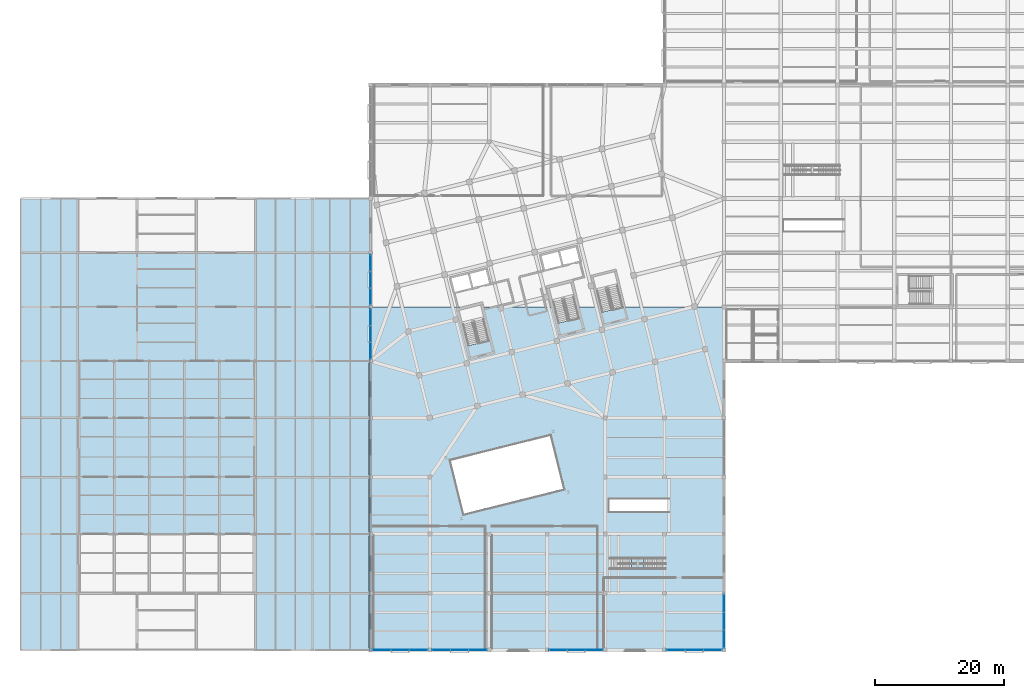
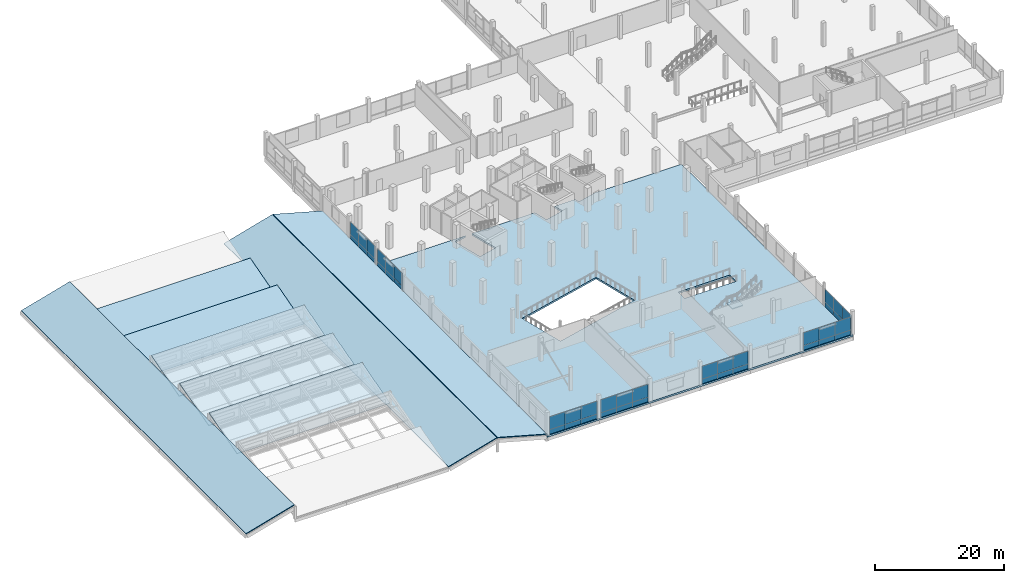
# One storey, part 61 of 77: 42 plates, 11 slabs, 16 elements without a shape of their own.
"""IFC4 building model written with IfcOpenShell, lengths in metres."""

from ifc_helpers import new_model, si_unit, direction, frame, origin, origin_2d, place, context, subcontext, project, spatial, polyline, rectangle, outline, extrude, material, layer, layer_set, type_object, element, aggregate, save


model = new_model("IFC4")

# Units and contexts
model_context = context("Model", 3, precision=1e-05, world=origin(), true_north=direction((0.0, 1.0)))
body_context = subcontext(model_context, "Body", "Model", "MODEL_VIEW")
ifc_project = project(units=[si_unit("LENGTHUNIT", "METRE"), si_unit("AREAUNIT", "SQUARE_METRE"), si_unit("VOLUMEUNIT", "CUBIC_METRE"), si_unit("PLANEANGLEUNIT", "RADIAN"), si_unit("MASSUNIT", "GRAM", prefix="KILO")], contexts=[model_context])

# Site, building, storey
site_placement = place(None, origin())
site = spatial("IfcSite", under=ifc_project, at=site_placement, CompositionType="ELEMENT")
building_placement = place(site_placement, origin())
building = spatial("IfcBuilding", under=site, at=building_placement, Name="Meriwether Solvik Hall", CompositionType="ELEMENT")
storey_placement = place(building_placement, frame((0.0, 0.0, 9.89990234375)))
storey = spatial("IfcBuildingStorey", under=building, at=storey_placement, Name="L02", CompositionType="ELEMENT", Elevation=9.89990234375)

# Curtain wall, plates
ifc_material_1 = material(Name="Thermally Broken Anodised Aluminium 6063-T6 and Low-E Glass", Category="aluminium")
ifc_layer_1 = layer(ifc_material_1, 0.179931640625)
ifc_layer_set_1 = layer_set([ifc_layer_1], Name="Thermally Broken Anodised Aluminium 6063-T6 and Low-E Glass")
curtain_wall_type = type_object("IfcCurtainWallType", Name="CW-SF-POD-C", PredefinedType="USERDEFINED", material=ifc_layer_set_1)
curtain_wall_1_placement = place(storey_placement, origin())
curtain_wall_1 = element("IfcCurtainWall", 1, at=curtain_wall_1_placement, inside=storey, type_object=curtain_wall_type, Name="Curtain Wall wing_XA_7_0 (L02)", ObjectType="STICK STOREFRONT GLAZING", PredefinedType="USERDEFINED")
ifc_material_2 = material(Name="Acoustic Laminated Insulating Glass", Category="glass")
ifc_layer_2 = layer(ifc_material_2, 0.035888671875)
ifc_layer_set_2 = layer_set([ifc_layer_2], Name="Acoustic Laminated Insulating Glass")
plate_type_1 = type_object("IfcPlateType", Name="PLT-GLZ-255X215", PredefinedType="CURTAIN_PANEL", material=ifc_layer_set_2)
plate_1_placement = place(storey_placement, frame((66.839599609375, 5.199951171875, 0.880126953125), z_axis=(0.0, 0.0, 1.0), x_axis=(-1.0, 0.0, 0.0)))
plate_1 = element("IfcPlate", 2, at=plate_1_placement, type_object=plate_type_1, Name="Low-E Vision Glazing Panel 1", PredefinedType="CURTAIN_PANEL", context=body_context, shape_type="SweptSolid", body=[
    extrude(rectangle(XDim=2.812744140625, YDim=0.033935546875, at=origin_2d()), origin(), (0.0, 0.0, 1.0), 2.455078125),
])
plate_2_placement = place(storey_placement, frame((64.0, 5.199951171875, 0.880126953125), z_axis=(0.0, 0.0, 1.0), x_axis=(-1.0, 0.0, 0.0)))
plate_2 = element("IfcPlate", 3, at=plate_2_placement, type_object=plate_type_1, Name="Low-E Vision Glazing Panel 2", PredefinedType="CURTAIN_PANEL", context=body_context, shape_type="SweptSolid", body=[
    extrude(rectangle(XDim=2.8505859375, YDim=0.033935546875, at=origin_2d()), origin(), (0.0, 0.0, 1.0), 2.455078125),
])
plate_3_placement = place(storey_placement, frame((61.160400390625, 5.199951171875, 0.880126953125), z_axis=(0.0, 0.0, 1.0), x_axis=(-1.0, 0.0, 0.0)))
plate_3 = element("IfcPlate", 4, at=plate_3_placement, type_object=plate_type_1, Name="Low-E Vision Glazing Panel 3", PredefinedType="CURTAIN_PANEL", context=body_context, shape_type="SweptSolid", body=[
    extrude(rectangle(XDim=2.812744140625, YDim=0.033935546875, at=origin_2d()), origin(), (0.0, 0.0, 1.0), 2.455078125),
])

curtain_wall_2_placement = place(storey_placement, origin())
curtain_wall_2 = element("IfcCurtainWall", 5, at=curtain_wall_2_placement, inside=storey, type_object=curtain_wall_type, Name="Curtain Wall wing_XA_8_1 (L02)", ObjectType="STICK STOREFRONT GLAZING", PredefinedType="USERDEFINED")
plate_4_placement = place(storey_placement, frame((76.03955078125, 5.199951171875, 0.880126953125), z_axis=(0.0, 0.0, 1.0), x_axis=(-1.0, 0.0, 0.0)))
plate_4 = element("IfcPlate", 6, at=plate_4_placement, type_object=plate_type_1, Name="Low-E Vision Glazing Panel 1", PredefinedType="CURTAIN_PANEL", context=body_context, shape_type="SweptSolid", body=[
    extrude(rectangle(XDim=2.812744140625, YDim=0.033935546875, at=origin_2d()), origin(), (0.0, 0.0, 1.0), 2.455078125),
])
plate_5_placement = place(storey_placement, frame((73.199951171875, 5.199951171875, 0.880126953125), z_axis=(0.0, 0.0, 1.0), x_axis=(-1.0, 0.0, 0.0)))
plate_5 = element("IfcPlate", 7, at=plate_5_placement, type_object=plate_type_1, Name="Low-E Vision Glazing Panel 2", PredefinedType="CURTAIN_PANEL", context=body_context, shape_type="SweptSolid", body=[
    extrude(rectangle(XDim=2.8505859375, YDim=0.033935546875, at=origin_2d()), origin(), (0.0, 0.0, 1.0), 2.455078125),
])
plate_6_placement = place(storey_placement, frame((70.3603515625, 5.199951171875, 0.880126953125), z_axis=(0.0, 0.0, 1.0), x_axis=(-1.0, 0.0, 0.0)))
plate_6 = element("IfcPlate", 8, at=plate_6_placement, type_object=plate_type_1, Name="Low-E Vision Glazing Panel 3", PredefinedType="CURTAIN_PANEL", context=body_context, shape_type="SweptSolid", body=[
    extrude(rectangle(XDim=2.812744140625, YDim=0.033935546875, at=origin_2d()), origin(), (0.0, 0.0, 1.0), 2.455078125),
])

curtain_wall_3_placement = place(storey_placement, origin())
curtain_wall_3 = element("IfcCurtainWall", 9, at=curtain_wall_3_placement, inside=storey, type_object=curtain_wall_type, Name="Curtain Wall wing_XA_10_3 (L02)", ObjectType="STICK STOREFRONT GLAZING", PredefinedType="USERDEFINED")
plate_7_placement = place(storey_placement, frame((94.072998046875, 5.199951171875, 0.880126953125), z_axis=(0.0, 0.0, 1.0), x_axis=(-1.0, 0.0, 0.0)))
plate_7 = element("IfcPlate", 10, at=plate_7_placement, type_object=plate_type_1, Name="Low-E Vision Glazing Panel 1", PredefinedType="CURTAIN_PANEL", context=body_context, shape_type="SweptSolid", body=[
    extrude(rectangle(XDim=2.74609375, YDim=0.033935546875, at=origin_2d()), origin(), (0.0, 0.0, 1.0), 2.455078125),
])
plate_8_placement = place(storey_placement, frame((91.300048828125, 5.199951171875, 0.880126953125), z_axis=(0.0, 0.0, 1.0), x_axis=(-1.0, 0.0, 0.0)))
plate_8 = element("IfcPlate", 11, at=plate_8_placement, type_object=plate_type_1, Name="Low-E Vision Glazing Panel 2", PredefinedType="CURTAIN_PANEL", context=body_context, shape_type="SweptSolid", body=[
    extrude(rectangle(XDim=2.783935546875, YDim=0.033935546875, at=origin_2d()), origin(), (0.0, 0.0, 1.0), 2.455078125),
])
plate_9_placement = place(storey_placement, frame((88.527099609375, 5.199951171875, 0.880126953125), z_axis=(0.0, 0.0, 1.0), x_axis=(-1.0, 0.0, 0.0)))
plate_9 = element("IfcPlate", 12, at=plate_9_placement, type_object=plate_type_1, Name="Low-E Vision Glazing Panel 3", PredefinedType="CURTAIN_PANEL", context=body_context, shape_type="SweptSolid", body=[
    extrude(rectangle(XDim=2.74609375, YDim=0.033935546875, at=origin_2d()), origin(), (0.0, 0.0, 1.0), 2.455078125),
])

curtain_wall_4_placement = place(storey_placement, origin())
curtain_wall_4 = element("IfcCurtainWall", 13, at=curtain_wall_4_placement, inside=storey, type_object=curtain_wall_type, Name="Curtain Wall wing_XA_12_5 (L02)", ObjectType="STICK STOREFRONT GLAZING", PredefinedType="USERDEFINED")
plate_10_placement = place(storey_placement, frame((112.439697265625, 5.199951171875, 0.880126953125), z_axis=(0.0, 0.0, 1.0), x_axis=(-1.0, 0.0, 0.0)))
plate_10 = element("IfcPlate", 14, at=plate_10_placement, type_object=plate_type_1, Name="Low-E Vision Glazing Panel 1", PredefinedType="CURTAIN_PANEL", context=body_context, shape_type="SweptSolid", body=[
    extrude(rectangle(XDim=2.812744140625, YDim=0.033935546875, at=origin_2d()), origin(), (0.0, 0.0, 1.0), 2.455078125),
])
plate_11_placement = place(storey_placement, frame((109.60009765625, 5.199951171875, 0.880126953125), z_axis=(0.0, 0.0, 1.0), x_axis=(-1.0, 0.0, 0.0)))
plate_11 = element("IfcPlate", 15, at=plate_11_placement, type_object=plate_type_1, Name="Low-E Vision Glazing Panel 2", PredefinedType="CURTAIN_PANEL", context=body_context, shape_type="SweptSolid", body=[
    extrude(rectangle(XDim=2.8505859375, YDim=0.033935546875, at=origin_2d()), origin(), (0.0, 0.0, 1.0), 2.455078125),
])
plate_12_placement = place(storey_placement, frame((106.76025390625, 5.199951171875, 0.880126953125), z_axis=(0.0, 0.0, 1.0), x_axis=(-1.0, 0.0, 0.0)))
plate_12 = element("IfcPlate", 16, at=plate_12_placement, type_object=plate_type_1, Name="Low-E Vision Glazing Panel 3", PredefinedType="CURTAIN_PANEL", context=body_context, shape_type="SweptSolid", body=[
    extrude(rectangle(XDim=2.812744140625, YDim=0.033935546875, at=origin_2d()), origin(), (0.0, 0.0, 1.0), 2.455078125),
])

curtain_wall_5_placement = place(storey_placement, origin())
curtain_wall_5 = element("IfcCurtainWall", 17, at=curtain_wall_5_placement, inside=storey, type_object=curtain_wall_type, Name="Curtain Wall wing_Y7_6_29 (L02)", ObjectType="STICK STOREFRONT GLAZING", PredefinedType="USERDEFINED")
plate_13_placement = place(storey_placement, frame((59.39990234375, 51.626953125, 0.880126953125), z_axis=(0.0, 0.0, 1.0), x_axis=(0.0, 1.0, 0.0)))
plate_13 = element("IfcPlate", 18, at=plate_13_placement, type_object=plate_type_1, Name="Low-E Vision Glazing Panel 1", PredefinedType="CURTAIN_PANEL", context=body_context, shape_type="SweptSolid", body=[
    extrude(rectangle(XDim=2.5458984375, YDim=0.033935546875, at=origin_2d()), origin(), (0.0, 0.0, 1.0), 2.455078125),
])
plate_14_placement = place(storey_placement, frame((59.39990234375, 54.199951171875, 0.880126953125), z_axis=(0.0, 0.0, 1.0), x_axis=(0.0, 1.0, 0.0)))
plate_14 = element("IfcPlate", 19, at=plate_14_placement, type_object=plate_type_1, Name="Low-E Vision Glazing Panel 2", PredefinedType="CURTAIN_PANEL", context=body_context, shape_type="SweptSolid", body=[
    extrude(rectangle(XDim=2.583984375, YDim=0.033935546875, at=origin_2d()), origin(), (0.0, 0.0, 1.0), 2.455078125),
])
plate_15_placement = place(storey_placement, frame((59.39990234375, 56.77294921875, 0.880126953125), z_axis=(0.0, 0.0, 1.0), x_axis=(0.0, 1.0, 0.0)))
plate_15 = element("IfcPlate", 20, at=plate_15_placement, type_object=plate_type_1, Name="Low-E Vision Glazing Panel 3", PredefinedType="CURTAIN_PANEL", context=body_context, shape_type="SweptSolid", body=[
    extrude(rectangle(XDim=2.5458984375, YDim=0.033935546875, at=origin_2d()), origin(), (0.0, 0.0, 1.0), 2.455078125),
])

curtain_wall_6_placement = place(storey_placement, origin())
curtain_wall_6 = element("IfcCurtainWall", 21, at=curtain_wall_6_placement, inside=storey, type_object=curtain_wall_type, Name="Curtain Wall wing_Y7_7_30 (L02)", ObjectType="STICK STOREFRONT GLAZING", PredefinedType="USERDEFINED")
plate_16_placement = place(storey_placement, frame((59.39990234375, 60.027099609375, 0.880126953125), z_axis=(0.0, 0.0, 1.0), x_axis=(0.0, 1.0, 0.0)))
plate_16 = element("IfcPlate", 22, at=plate_16_placement, type_object=plate_type_1, Name="Low-E Vision Glazing Panel 1", PredefinedType="CURTAIN_PANEL", context=body_context, shape_type="SweptSolid", body=[
    extrude(rectangle(XDim=2.5458984375, YDim=0.033935546875, at=origin_2d()), origin(), (0.0, 0.0, 1.0), 2.455078125),
])
plate_17_placement = place(storey_placement, frame((59.39990234375, 62.60009765625, 0.880126953125), z_axis=(0.0, 0.0, 1.0), x_axis=(0.0, 1.0, 0.0)))
plate_17 = element("IfcPlate", 23, at=plate_17_placement, type_object=plate_type_1, Name="Low-E Vision Glazing Panel 2", PredefinedType="CURTAIN_PANEL", context=body_context, shape_type="SweptSolid", body=[
    extrude(rectangle(XDim=2.583984375, YDim=0.033935546875, at=origin_2d()), origin(), (0.0, 0.0, 1.0), 2.455078125),
])
plate_18_placement = place(storey_placement, frame((59.39990234375, 65.173095703125, 0.880126953125), z_axis=(0.0, 0.0, 1.0), x_axis=(0.0, 1.0, 0.0)))
plate_18 = element("IfcPlate", 24, at=plate_18_placement, type_object=plate_type_1, Name="Low-E Vision Glazing Panel 3", PredefinedType="CURTAIN_PANEL", context=body_context, shape_type="SweptSolid", body=[
    extrude(rectangle(XDim=2.5458984375, YDim=0.033935546875, at=origin_2d()), origin(), (0.0, 0.0, 1.0), 2.455078125),
])

curtain_wall_7_placement = place(storey_placement, origin())
curtain_wall_7 = element("IfcCurtainWall", 25, at=curtain_wall_7_placement, inside=storey, type_object=curtain_wall_type, Name="Curtain Wall wing_Y13_1_37 (L02)", ObjectType="STICK STOREFRONT GLAZING", PredefinedType="USERDEFINED")
plate_19_placement = place(storey_placement, frame((114.199951171875, 12.407958984375, 0.880126953125), z_axis=(0.0, 0.0, 1.0), x_axis=(0.0, -1.0, 0.0)))
plate_19 = element("IfcPlate", 26, at=plate_19_placement, type_object=plate_type_1, Name="Low-E Vision Glazing Panel 1", PredefinedType="CURTAIN_PANEL", context=body_context, shape_type="SweptSolid", body=[
    extrude(rectangle(XDim=2.719970703125, YDim=0.033935546875, at=origin_2d()), origin(), (0.0, 0.0, 1.0), 2.455078125),
])
plate_20_placement = place(storey_placement, frame((114.199951171875, 9.660888671875, 0.880126953125), z_axis=(0.0, 0.0, 1.0), x_axis=(0.0, -1.0, 0.0)))
plate_20 = element("IfcPlate", 27, at=plate_20_placement, type_object=plate_type_1, Name="Low-E Vision Glazing Panel 2", PredefinedType="CURTAIN_PANEL", context=body_context, shape_type="SweptSolid", body=[
    extrude(rectangle(XDim=2.758056640625, YDim=0.033935546875, at=origin_2d()), origin(), (0.0, 0.0, 1.0), 2.455078125),
])
plate_21_placement = place(storey_placement, frame((114.199951171875, 6.9140625, 0.880126953125), z_axis=(0.0, 0.0, 1.0), x_axis=(0.0, -1.0, 0.0)))
plate_21 = element("IfcPlate", 28, at=plate_21_placement, type_object=plate_type_1, Name="Low-E Vision Glazing Panel 3", PredefinedType="CURTAIN_PANEL", context=body_context, shape_type="SweptSolid", body=[
    extrude(rectangle(XDim=2.719970703125, YDim=0.033935546875, at=origin_2d()), origin(), (0.0, 0.0, 1.0), 2.455078125),
])

# Plate
ifc_material_3 = material(Name="Mineral-Wool Insulated Anodised Aluminium 6063-T6", Category="aluminium")
ifc_layer_3 = layer(ifc_material_3, 0.044921875)
ifc_layer_set_3 = layer_set([ifc_layer_3], Name="Mineral-Wool Insulated Anodised Aluminium 6063-T6")
plate_type_2 = type_object("IfcPlateType", Name="PLT-SPN-255X095", PredefinedType="CURTAIN_PANEL", material=ifc_layer_set_3)
plate_22_placement = place(storey_placement, frame((66.839599609375, 5.199951171875, 0.000244140625), z_axis=(0.0, 0.0, 1.0), x_axis=(-1.0, 0.0, 0.0)))
plate_22 = element("IfcPlate", 29, at=plate_22_placement, type_object=plate_type_2, Name="Insulated Spandrel Panel 1", PredefinedType="CURTAIN_PANEL", context=body_context, shape_type="SweptSolid", body=[
    extrude(rectangle(XDim=2.812744140625, YDim=0.044921875, at=origin_2d()), origin(), (0.0, 0.0, 1.0), 0.8798828125),
])

plate_23_placement = place(storey_placement, frame((64.0, 5.199951171875, 0.000244140625), z_axis=(0.0, 0.0, 1.0), x_axis=(-1.0, 0.0, 0.0)))
plate_23 = element("IfcPlate", 30, at=plate_23_placement, type_object=plate_type_2, Name="Insulated Spandrel Panel 2", PredefinedType="CURTAIN_PANEL", context=body_context, shape_type="SweptSolid", body=[
    extrude(rectangle(XDim=2.8505859375, YDim=0.044921875, at=origin_2d()), origin(), (0.0, 0.0, 1.0), 0.8798828125),
])

plate_24_placement = place(storey_placement, frame((61.160400390625, 5.199951171875, 0.000244140625), z_axis=(0.0, 0.0, 1.0), x_axis=(-1.0, 0.0, 0.0)))
plate_24 = element("IfcPlate", 31, at=plate_24_placement, type_object=plate_type_2, Name="Insulated Spandrel Panel 3", PredefinedType="CURTAIN_PANEL", context=body_context, shape_type="SweptSolid", body=[
    extrude(rectangle(XDim=2.812744140625, YDim=0.044921875, at=origin_2d()), origin(), (0.0, 0.0, 1.0), 0.8798828125),
])

aggregate(curtain_wall_1, [plate_22, plate_1, plate_23, plate_2, plate_24, plate_3])

plate_25_placement = place(storey_placement, frame((76.03955078125, 5.199951171875, 0.000244140625), z_axis=(0.0, 0.0, 1.0), x_axis=(-1.0, 0.0, 0.0)))
plate_25 = element("IfcPlate", 32, at=plate_25_placement, type_object=plate_type_2, Name="Insulated Spandrel Panel 1", PredefinedType="CURTAIN_PANEL", context=body_context, shape_type="SweptSolid", body=[
    extrude(rectangle(XDim=2.812744140625, YDim=0.044921875, at=origin_2d()), origin(), (0.0, 0.0, 1.0), 0.8798828125),
])

plate_26_placement = place(storey_placement, frame((73.199951171875, 5.199951171875, 0.000244140625), z_axis=(0.0, 0.0, 1.0), x_axis=(-1.0, 0.0, 0.0)))
plate_26 = element("IfcPlate", 33, at=plate_26_placement, type_object=plate_type_2, Name="Insulated Spandrel Panel 2", PredefinedType="CURTAIN_PANEL", context=body_context, shape_type="SweptSolid", body=[
    extrude(rectangle(XDim=2.8505859375, YDim=0.044921875, at=origin_2d()), origin(), (0.0, 0.0, 1.0), 0.8798828125),
])

plate_27_placement = place(storey_placement, frame((70.3603515625, 5.199951171875, 0.000244140625), z_axis=(0.0, 0.0, 1.0), x_axis=(-1.0, 0.0, 0.0)))
plate_27 = element("IfcPlate", 34, at=plate_27_placement, type_object=plate_type_2, Name="Insulated Spandrel Panel 3", PredefinedType="CURTAIN_PANEL", context=body_context, shape_type="SweptSolid", body=[
    extrude(rectangle(XDim=2.812744140625, YDim=0.044921875, at=origin_2d()), origin(), (0.0, 0.0, 1.0), 0.8798828125),
])

aggregate(curtain_wall_2, [plate_25, plate_4, plate_26, plate_5, plate_27, plate_6])

plate_28_placement = place(storey_placement, frame((94.072998046875, 5.199951171875, 0.000244140625), z_axis=(0.0, 0.0, 1.0), x_axis=(-1.0, 0.0, 0.0)))
plate_28 = element("IfcPlate", 35, at=plate_28_placement, type_object=plate_type_2, Name="Insulated Spandrel Panel 1", PredefinedType="CURTAIN_PANEL", context=body_context, shape_type="SweptSolid", body=[
    extrude(rectangle(XDim=2.74609375, YDim=0.044921875, at=origin_2d()), origin(), (0.0, 0.0, 1.0), 0.8798828125),
])

plate_29_placement = place(storey_placement, frame((91.300048828125, 5.199951171875, 0.000244140625), z_axis=(0.0, 0.0, 1.0), x_axis=(-1.0, 0.0, 0.0)))
plate_29 = element("IfcPlate", 36, at=plate_29_placement, type_object=plate_type_2, Name="Insulated Spandrel Panel 2", PredefinedType="CURTAIN_PANEL", context=body_context, shape_type="SweptSolid", body=[
    extrude(rectangle(XDim=2.783935546875, YDim=0.044921875, at=origin_2d()), origin(), (0.0, 0.0, 1.0), 0.8798828125),
])

plate_30_placement = place(storey_placement, frame((88.527099609375, 5.199951171875, 0.000244140625), z_axis=(0.0, 0.0, 1.0), x_axis=(-1.0, 0.0, 0.0)))
plate_30 = element("IfcPlate", 37, at=plate_30_placement, type_object=plate_type_2, Name="Insulated Spandrel Panel 3", PredefinedType="CURTAIN_PANEL", context=body_context, shape_type="SweptSolid", body=[
    extrude(rectangle(XDim=2.74609375, YDim=0.044921875, at=origin_2d()), origin(), (0.0, 0.0, 1.0), 0.8798828125),
])

aggregate(curtain_wall_3, [plate_28, plate_7, plate_29, plate_8, plate_30, plate_9])

plate_31_placement = place(storey_placement, frame((112.439697265625, 5.199951171875, 0.000244140625), z_axis=(0.0, 0.0, 1.0), x_axis=(-1.0, 0.0, 0.0)))
plate_31 = element("IfcPlate", 38, at=plate_31_placement, type_object=plate_type_2, Name="Insulated Spandrel Panel 1", PredefinedType="CURTAIN_PANEL", context=body_context, shape_type="SweptSolid", body=[
    extrude(rectangle(XDim=2.812744140625, YDim=0.044921875, at=origin_2d()), origin(), (0.0, 0.0, 1.0), 0.8798828125),
])

plate_32_placement = place(storey_placement, frame((109.60009765625, 5.199951171875, 0.000244140625), z_axis=(0.0, 0.0, 1.0), x_axis=(-1.0, 0.0, 0.0)))
plate_32 = element("IfcPlate", 39, at=plate_32_placement, type_object=plate_type_2, Name="Insulated Spandrel Panel 2", PredefinedType="CURTAIN_PANEL", context=body_context, shape_type="SweptSolid", body=[
    extrude(rectangle(XDim=2.8505859375, YDim=0.044921875, at=origin_2d()), origin(), (0.0, 0.0, 1.0), 0.8798828125),
])

plate_33_placement = place(storey_placement, frame((106.76025390625, 5.199951171875, 0.000244140625), z_axis=(0.0, 0.0, 1.0), x_axis=(-1.0, 0.0, 0.0)))
plate_33 = element("IfcPlate", 40, at=plate_33_placement, type_object=plate_type_2, Name="Insulated Spandrel Panel 3", PredefinedType="CURTAIN_PANEL", context=body_context, shape_type="SweptSolid", body=[
    extrude(rectangle(XDim=2.812744140625, YDim=0.044921875, at=origin_2d()), origin(), (0.0, 0.0, 1.0), 0.8798828125),
])

aggregate(curtain_wall_4, [plate_31, plate_10, plate_32, plate_11, plate_33, plate_12])

plate_34_placement = place(storey_placement, frame((59.39990234375, 51.626953125, 0.000244140625), z_axis=(0.0, 0.0, 1.0), x_axis=(0.0, 1.0, 0.0)))
plate_34 = element("IfcPlate", 41, at=plate_34_placement, type_object=plate_type_2, Name="Insulated Spandrel Panel 1", PredefinedType="CURTAIN_PANEL", context=body_context, shape_type="SweptSolid", body=[
    extrude(rectangle(XDim=2.5458984375, YDim=0.044921875, at=origin_2d()), origin(), (0.0, 0.0, 1.0), 0.8798828125),
])

plate_35_placement = place(storey_placement, frame((59.39990234375, 54.199951171875, 0.000244140625), z_axis=(0.0, 0.0, 1.0), x_axis=(0.0, 1.0, 0.0)))
plate_35 = element("IfcPlate", 42, at=plate_35_placement, type_object=plate_type_2, Name="Insulated Spandrel Panel 2", PredefinedType="CURTAIN_PANEL", context=body_context, shape_type="SweptSolid", body=[
    extrude(rectangle(XDim=2.583984375, YDim=0.044921875, at=origin_2d()), origin(), (0.0, 0.0, 1.0), 0.8798828125),
])

plate_36_placement = place(storey_placement, frame((59.39990234375, 56.77294921875, 0.000244140625), z_axis=(0.0, 0.0, 1.0), x_axis=(0.0, 1.0, 0.0)))
plate_36 = element("IfcPlate", 43, at=plate_36_placement, type_object=plate_type_2, Name="Insulated Spandrel Panel 3", PredefinedType="CURTAIN_PANEL", context=body_context, shape_type="SweptSolid", body=[
    extrude(rectangle(XDim=2.5458984375, YDim=0.044921875, at=origin_2d()), origin(), (0.0, 0.0, 1.0), 0.8798828125),
])

aggregate(curtain_wall_5, [plate_34, plate_13, plate_35, plate_14, plate_36, plate_15])

plate_37_placement = place(storey_placement, frame((59.39990234375, 60.027099609375, 0.000244140625), z_axis=(0.0, 0.0, 1.0), x_axis=(0.0, 1.0, 0.0)))
plate_37 = element("IfcPlate", 44, at=plate_37_placement, type_object=plate_type_2, Name="Insulated Spandrel Panel 1", PredefinedType="CURTAIN_PANEL", context=body_context, shape_type="SweptSolid", body=[
    extrude(rectangle(XDim=2.5458984375, YDim=0.044921875, at=origin_2d()), origin(), (0.0, 0.0, 1.0), 0.8798828125),
])

plate_38_placement = place(storey_placement, frame((59.39990234375, 62.60009765625, 0.000244140625), z_axis=(0.0, 0.0, 1.0), x_axis=(0.0, 1.0, 0.0)))
plate_38 = element("IfcPlate", 45, at=plate_38_placement, type_object=plate_type_2, Name="Insulated Spandrel Panel 2", PredefinedType="CURTAIN_PANEL", context=body_context, shape_type="SweptSolid", body=[
    extrude(rectangle(XDim=2.583984375, YDim=0.044921875, at=origin_2d()), origin(), (0.0, 0.0, 1.0), 0.8798828125),
])

plate_39_placement = place(storey_placement, frame((59.39990234375, 65.173095703125, 0.000244140625), z_axis=(0.0, 0.0, 1.0), x_axis=(0.0, 1.0, 0.0)))
plate_39 = element("IfcPlate", 46, at=plate_39_placement, type_object=plate_type_2, Name="Insulated Spandrel Panel 3", PredefinedType="CURTAIN_PANEL", context=body_context, shape_type="SweptSolid", body=[
    extrude(rectangle(XDim=2.5458984375, YDim=0.044921875, at=origin_2d()), origin(), (0.0, 0.0, 1.0), 0.8798828125),
])

aggregate(curtain_wall_6, [plate_37, plate_16, plate_38, plate_17, plate_39, plate_18])

plate_40_placement = place(storey_placement, frame((114.199951171875, 12.407958984375, 0.000244140625), z_axis=(0.0, 0.0, 1.0), x_axis=(0.0, -1.0, 0.0)))
plate_40 = element("IfcPlate", 47, at=plate_40_placement, type_object=plate_type_2, Name="Insulated Spandrel Panel 1", PredefinedType="CURTAIN_PANEL", context=body_context, shape_type="SweptSolid", body=[
    extrude(rectangle(XDim=2.719970703125, YDim=0.044921875, at=origin_2d()), origin(), (0.0, 0.0, 1.0), 0.8798828125),
])

plate_41_placement = place(storey_placement, frame((114.199951171875, 9.660888671875, 0.000244140625), z_axis=(0.0, 0.0, 1.0), x_axis=(0.0, -1.0, 0.0)))
plate_41 = element("IfcPlate", 48, at=plate_41_placement, type_object=plate_type_2, Name="Insulated Spandrel Panel 2", PredefinedType="CURTAIN_PANEL", context=body_context, shape_type="SweptSolid", body=[
    extrude(rectangle(XDim=2.758056640625, YDim=0.044921875, at=origin_2d()), origin(), (0.0, 0.0, 1.0), 0.8798828125),
])

plate_42_placement = place(storey_placement, frame((114.199951171875, 6.9140625, 0.000244140625), z_axis=(0.0, 0.0, 1.0), x_axis=(0.0, -1.0, 0.0)))
plate_42 = element("IfcPlate", 49, at=plate_42_placement, type_object=plate_type_2, Name="Insulated Spandrel Panel 3", PredefinedType="CURTAIN_PANEL", context=body_context, shape_type="SweptSolid", body=[
    extrude(rectangle(XDim=2.719970703125, YDim=0.044921875, at=origin_2d()), origin(), (0.0, 0.0, 1.0), 0.8798828125),
])

aggregate(curtain_wall_7, [plate_40, plate_19, plate_41, plate_20, plate_42, plate_21])

# Stair, slab
ifc_material_4 = material(Name="Glulam Douglas-Fir 24F-V8 GL28h", Category="wood")
stair_type = type_object("IfcStairType", Name="STR-OPEN-ATRIUM", PredefinedType="TWO_STRAIGHT_RUN_STAIR", material=ifc_material_4)
stair_placement = place(storey_placement, origin())
stair = element("IfcStair", 50, at=stair_placement, inside=storey, type_object=stair_type, Name="Architectural Stair ST-AT3 (L02-L03)", PredefinedType="TWO_STRAIGHT_RUN_STAIR")
ifc_material_5 = material(Name="Cross-Laminated Timber PRG 320 E1", Category="wood")
ifc_layer_4 = layer(ifc_material_5, 0.175048828125)
ifc_layer_set_4 = layer_set([ifc_layer_4], Name="Cross-Laminated Timber PRG 320 E1")
slab_type_1 = type_object("IfcSlabType", Name="SLB-LND-175", PredefinedType="LANDING", material=ifc_layer_set_4)
slab_1_placement = place(storey_placement, frame((0.0, 0.0, 2.0751953125)))
slab_1 = element("IfcSlab", 51, at=slab_1_placement, type_object=slab_type_1, Name="Stair ST-AT3 Intermediate Landing", PredefinedType="LANDING", context=body_context, shape_type="SweptSolid", body=[
    extrude(outline(polyline([(99.842041015625, 17.699951171875), (101.778076171875, 17.699951171875), (101.778076171875, 19.5), (99.842041015625, 19.5), (99.842041015625, 17.699951171875)])), origin(), (0.0, 0.0, 1.0), 0.1748046875),
])
aggregate(stair, [slab_1])

# Slabs
ifc_material_6 = material(Name="Concrete C40/50", Category="concrete")
ifc_layer_5 = layer(ifc_material_6, 0.330078125)
ifc_layer_set_5 = layer_set([ifc_layer_5], Name="Concrete C40/50")
slab_type_2 = type_object("IfcSlabType", Name="SLB-RC-330", PredefinedType="FLOOR", material=ifc_layer_set_5)
slab_2_placement = place(storey_placement, frame((0.0, 0.0, -0.329833984375)))
element("IfcSlab", 52, at=slab_2_placement, inside=storey, type_object=slab_type_2, Name="L02 Structural Slab Zone 1", PredefinedType="FLOOR", context=body_context, shape_type="SweptSolid", body=[
    extrude(outline(polyline([(59.39697265625, 5.0400390625), (59.239990234375, 5.0400390625), (59.239990234375, 58.39697265625), (59.39697265625, 58.39697265625), (59.39697265625, 5.0400390625)])), origin(), (0.0, 0.0, 1.0), 0.329833984375),
])
slab_3_placement = place(storey_placement, frame((0.0, 0.0, -0.329833984375)))
element("IfcSlab", 53, at=slab_3_placement, inside=storey, type_object=slab_type_2, Name="L02 Structural Slab Zone 3", PredefinedType="FLOOR", context=body_context, shape_type="SweptSolid", body=[
    extrude(outline(polyline([(75.36328125, 58.39697265625), (73.157958984375, 57.84716796875), (74.5205078125, 52.382568359375), (77.819580078125, 53.205078125), (76.525146484375, 58.39697265625), (87.86181640625, 58.39697265625), (88.492919921875, 55.8662109375), (91.791748046875, 56.688720703125), (91.365966796875, 58.39697265625), (95.076171875, 58.39697265625), (95.284912109375, 57.5595703125), (98.583984375, 58.382080078125), (98.580322265625, 58.39697265625), (114.197021484375, 58.39697265625), (114.197021484375, 5.0400390625), (59.403076171875, 5.0400390625), (59.403076171875, 58.39697265625), (75.36328125, 58.39697265625)]), holes=[polyline([(87.322021484375, 38.447509765625), (71.79736328125, 34.57666015625), (73.8779296875, 26.232177734375), (89.402587890625, 30.10302734375), (87.322021484375, 38.447509765625)]), polyline([(105.662109375, 26.6201171875), (105.662109375, 28.580078125), (96.39990234375, 28.580078125), (96.39990234375, 26.6201171875), (105.662109375, 26.6201171875)])]), origin(), (0.0, 0.0, 1.0), 0.329833984375),
])

# Roof, slab
ifc_material_7 = material(Name="Cross-Laminated Timber PRG 320 E1", Category="wood")
ifc_layer_6 = layer(ifc_material_7, 0.2451171875)
ifc_layer_set_6 = layer_set([ifc_layer_6], Name="Cross-Laminated Timber PRG 320 E1")
roof_type_1 = type_object("IfcRoofType", Name="ROOF-SHED-CLT", PredefinedType="SHED_ROOF", material=ifc_layer_set_6)
roof_1_placement = place(storey_placement, origin())
roof_1 = element("IfcRoof", 54, at=roof_1_placement, inside=storey, type_object=roof_type_1, Name="Pitched Mass-Timber Roof w1_west_aisle (L02)", PredefinedType="SHED_ROOF")
ifc_material_8 = material(Name="Cross-Laminated Timber PRG 320 E1", Category="wood")
ifc_layer_7 = layer(ifc_material_8, 0.159912109375)
ifc_layer_set_7 = layer_set([ifc_layer_7], Name="Cross-Laminated Timber PRG 320 E1")
slab_type_3 = type_object("IfcSlabType", Name="SLB-ROOF-160", PredefinedType="ROOF", material=ifc_layer_set_7)
slab_4_placement = place(storey_placement, frame((5.2548828125, 5.2548828125, 0.175048828125), z_axis=(-0.272371102856, 0.0, 0.962192279292), x_axis=(0.962192279292, 0.0, 0.272371102856)))
slab_4 = element("IfcSlab", 55, at=slab_4_placement, type_object=slab_type_3, Name="Sloped CLT Roof Deck w1_west_aisle (L02)", PredefinedType="ROOF", context=body_context, shape_type="SweptSolid", body=[
    extrude(outline(polyline([(0.0, 0.0), (9.031651712347031, 0.0), (9.031651712347031, 69.89013671875001), (0.0, 69.89013671875001), (0.0, 0.0)])), origin(), (0.0, 0.0, -1.0), 0.159912109375),
])
aggregate(roof_1, [slab_4])

roof_2_placement = place(storey_placement, origin())
roof_2 = element("IfcRoof", 56, at=roof_2_placement, inside=storey, type_object=roof_type_1, Name="Pitched Mass-Timber Roof w1_north_s1 (L02)", PredefinedType="SHED_ROOF")
slab_5_placement = place(storey_placement, frame((14.054931640625, 50.054931640625, 0.175048828125), z_axis=(0.0, -0.273811952281, 0.961783247301), x_axis=(1.0, 0.0, 0.0)))
slab_5 = element("IfcSlab", 57, at=slab_5_placement, type_object=slab_type_3, Name="Sloped CLT Roof Deck w1_north_s1 (L02)", PredefinedType="ROOF", context=body_context, shape_type="SweptSolid", body=[
    extrude(outline(polyline([(0.0, 0.0), (27.489990234375, 0.0), (27.489990234375, 8.619446310556459), (0.0, 8.619446310556459), (0.0, 0.0)])), origin(), (0.0, 0.0, -1.0), 0.159912109375),
])
aggregate(roof_2, [slab_5])

roof_3_placement = place(storey_placement, origin())
roof_3 = element("IfcRoof", 58, at=roof_3_placement, inside=storey, type_object=roof_type_1, Name="Pitched Mass-Timber Roof w1_north_s2 (L02)", PredefinedType="SHED_ROOF")
slab_6_placement = place(storey_placement, frame((14.054931640625, 58.455078125, 0.175048828125), z_axis=(0.0, -0.273811952281, 0.961783247301), x_axis=(1.0, 0.0, 0.0)))
slab_6 = element("IfcSlab", 59, at=slab_6_placement, type_object=slab_type_3, Name="Sloped CLT Roof Deck w1_north_s2 (L02)", PredefinedType="ROOF", context=body_context, shape_type="SweptSolid", body=[
    extrude(outline(polyline([(0.0, 0.0), (27.489990234375, 0.0), (27.489990234375, 8.619446310556459), (0.0, 8.619446310556459), (0.0, 0.0)])), origin(), (0.0, 0.0, -1.0), 0.159912109375),
])
aggregate(roof_3, [slab_6])

ifc_material_9 = material(Name="Cross-Laminated Timber PRG 320 E1", Category="wood")
ifc_layer_8 = layer(ifc_material_9, 0.2451171875)
ifc_layer_set_8 = layer_set([ifc_layer_8], Name="Cross-Laminated Timber PRG 320 E1")
roof_type_2 = type_object("IfcRoofType", Name="ROOF-GABLE-CLT", PredefinedType="GABLE_ROOF", material=ifc_layer_set_8)
roof_4_placement = place(storey_placement, origin())
roof_4 = element("IfcRoof", 60, at=roof_4_placement, inside=storey, type_object=roof_type_2, Name="Pitched Mass-Timber Roof w1_east_gbl_w (L02)", PredefinedType="GABLE_ROOF")
slab_7_placement = place(storey_placement, frame((41.655029296875, 5.2548828125, 0.175048828125), z_axis=(-0.272378187313, 0.0, 0.962190273842), x_axis=(0.962190273842, 0.0, 0.272378187313)))
slab_7 = element("IfcSlab", 61, at=slab_7_placement, type_object=slab_type_3, Name="Sloped CLT Roof Deck w1_east_gbl_w (L02)", PredefinedType="ROOF", context=body_context, shape_type="SweptSolid", body=[
    extrude(outline(polyline([(0.0, 0.0), (9.031416802367396, 0.0), (9.031416802367396, 69.89013671875), (0.0, 69.89013671875), (0.0, 0.0)])), origin(), (0.0, 0.0, -1.0), 0.159912109375),
])
aggregate(roof_4, [slab_7])

roof_5_placement = place(storey_placement, origin())
roof_5 = element("IfcRoof", 62, at=roof_5_placement, inside=storey, type_object=roof_type_2, Name="Pitched Mass-Timber Roof w1_east_gbl_e (L02)", PredefinedType="GABLE_ROOF")
slab_8_placement = place(storey_placement, frame((50.455078125, 5.2548828125, 2.635009765625), z_axis=(0.266692247971, 0.0, 0.963781741305), x_axis=(0.963781741305, 0.0, -0.266692247971)))
slab_8 = element("IfcSlab", 63, at=slab_8_placement, type_object=slab_type_3, Name="Sloped CLT Roof Deck w1_east_gbl_e (L02)", PredefinedType="ROOF", context=body_context, shape_type="SweptSolid", body=[
    extrude(outline(polyline([(0.0, 0.0), (9.223968661299097, 0.0), (9.223968661299097, 69.89013671875), (0.0, 69.89013671875), (0.0, 0.0)])), origin(), (0.0, 0.0, -1.0), 0.159912109375),
])
aggregate(roof_5, [slab_8])

roof_6_placement = place(storey_placement, origin())
roof_6 = element("IfcRoof", 64, at=roof_6_placement, inside=storey, type_object=roof_type_1, Name="Sanctuary Sawtooth Northlight Roof 2", PredefinedType="SHED_ROOF")
slab_9_placement = place(storey_placement, frame((14.06005859375, 23.260009765625, 1.400146484375), z_axis=(0.0, -0.276769553449, 0.960936321659), x_axis=(1.0, 0.0, 0.0)))
slab_9 = element("IfcSlab", 65, at=slab_9_placement, type_object=slab_type_3, Name="Sanctuary Sawtooth CLT Roof Deck 2", PredefinedType="ROOF", context=body_context, shape_type="SweptSolid", body=[
    extrude(outline(polyline([(0.0, 0.0), (27.47998046875, 0.0), (27.47998046875, 9.032785466616762), (0.0, 9.032785466616762), (0.0, 0.0)])), origin(), (0.0, 0.0, -1.0), 0.159912109375),
])
aggregate(roof_6, [slab_9])

roof_7_placement = place(storey_placement, origin())
roof_7 = element("IfcRoof", 66, at=roof_7_placement, inside=storey, type_object=roof_type_1, Name="Sanctuary Sawtooth Northlight Roof 3", PredefinedType="SHED_ROOF")
slab_10_placement = place(storey_placement, frame((14.06005859375, 32.06005859375, 1.400146484375), z_axis=(0.0, -0.265457129057, 0.964122664723), x_axis=(1.0, 0.0, 0.0)))
slab_10 = element("IfcSlab", 67, at=slab_10_placement, type_object=slab_type_3, Name="Sanctuary Sawtooth CLT Roof Deck 3", PredefinedType="ROOF", context=body_context, shape_type="SweptSolid", body=[
    extrude(outline(polyline([(0.0, 0.0), (27.47998046875, 0.0), (27.47998046875, 9.417716558901697), (0.0, 9.417716558901697), (0.0, 0.0)])), origin(), (0.0, 0.0, -1.0), 0.159912109375),
])
aggregate(roof_7, [slab_10])

roof_8_placement = place(storey_placement, origin())
roof_8 = element("IfcRoof", 68, at=roof_8_placement, inside=storey, type_object=roof_type_1, Name="Sanctuary Sawtooth Northlight Roof 4", PredefinedType="SHED_ROOF")
slab_11_placement = place(storey_placement, frame((14.06005859375, 41.260009765625, 1.400146484375), z_axis=(0.0, -0.276769553449, 0.960936321659), x_axis=(1.0, 0.0, 0.0)))
slab_11 = element("IfcSlab", 69, at=slab_11_placement, type_object=slab_type_3, Name="Sanctuary Sawtooth CLT Roof Deck 4", PredefinedType="ROOF", context=body_context, shape_type="SweptSolid", body=[
    extrude(outline(polyline([(0.0, 0.0), (27.47998046875, 0.0), (27.47998046875, 9.032785466616762), (0.0, 9.032785466616762), (0.0, 0.0)])), origin(), (0.0, 0.0, -1.0), 0.159912109375),
])
aggregate(roof_8, [slab_11])

save(model, "model.ifc")
